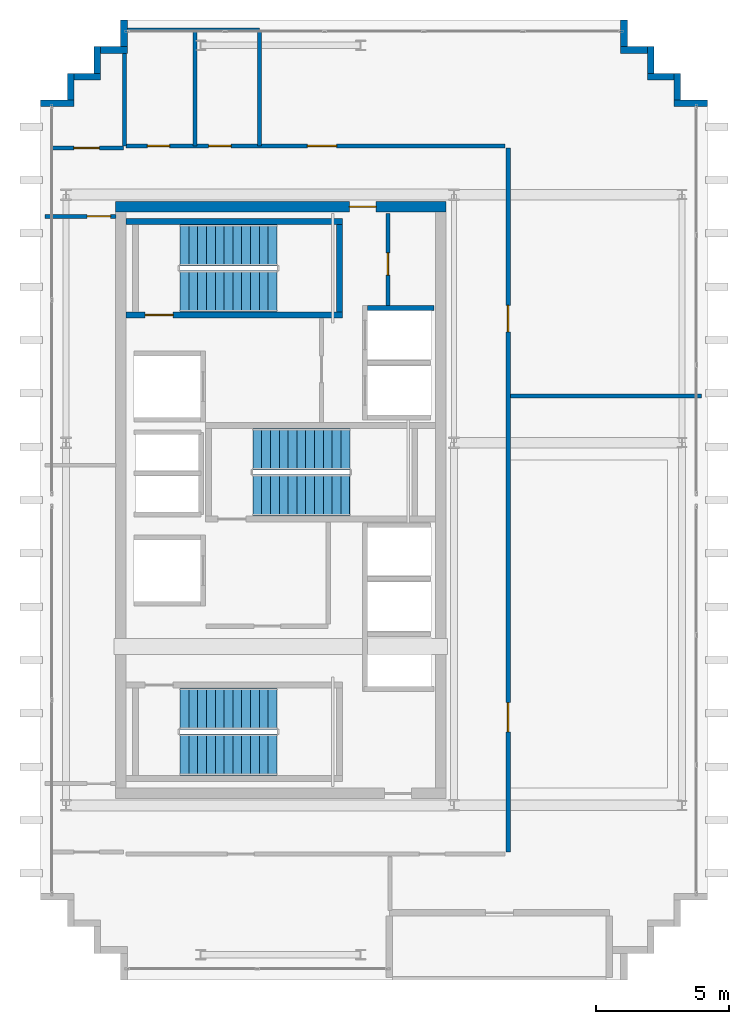
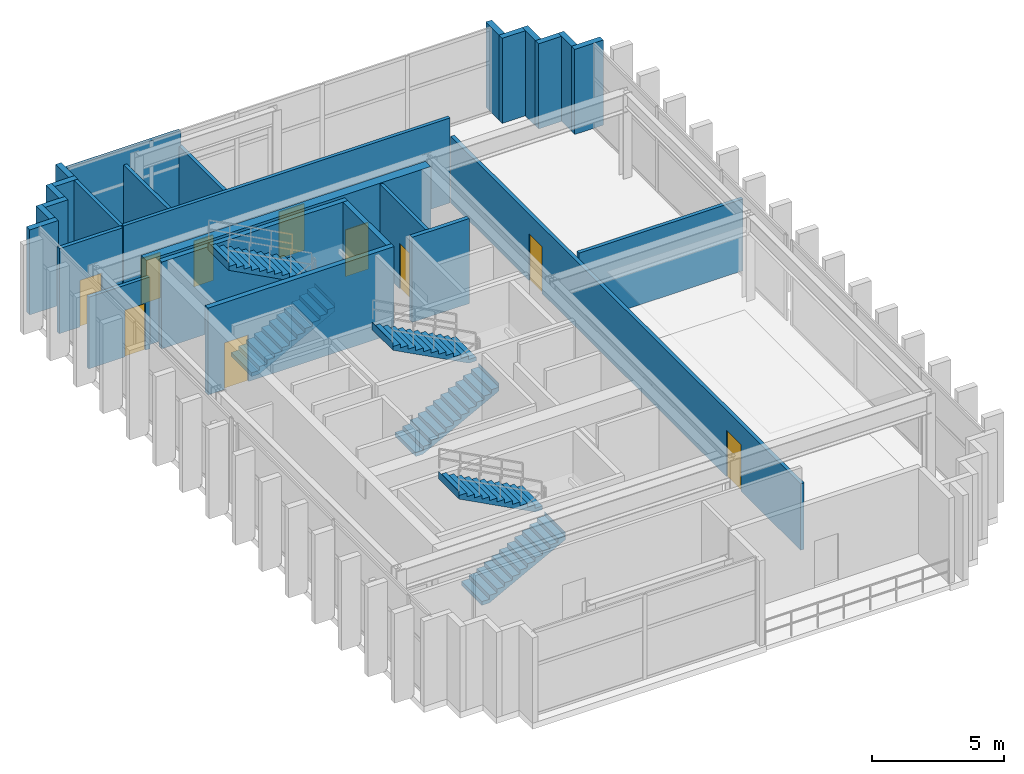
# One storey, part 12 of 14: 27 walls, 10 doors, 6 stair flights, 10 openings, 3 elements without a shape of their own.
"""IFC4 building model written with IfcOpenShell, lengths in metres."""

from ifc_helpers import new_model, si_unit, direction, frame, frame_2d, origin, place, context, subcontext, project, spatial, polyline, rectangle, outline, extrude, source, transform, mapped, material, layer, layer_set, type_object, element, fill, aggregate, save


model = new_model("IFC4")

# Units and contexts
model_context = context("Model", 3, precision=1e-05, world=origin(), true_north=direction((0.0, 1.0)))
body_context = subcontext(model_context, "Body", "Model", "MODEL_VIEW")
ifc_project = project(units=[si_unit("LENGTHUNIT", "METRE"), si_unit("AREAUNIT", "SQUARE_METRE"), si_unit("VOLUMEUNIT", "CUBIC_METRE"), si_unit("PLANEANGLEUNIT", "RADIAN"), si_unit("MASSUNIT", "GRAM", prefix="KILO")], contexts=[model_context])

# Site, building, storey
site_placement = place(None, origin())
site = spatial("IfcSite", under=ifc_project, at=site_placement, CompositionType="ELEMENT")
building_placement = place(site_placement, origin())
building = spatial("IfcBuilding", under=site, at=building_placement, Name="Ocotamira Hotel", CompositionType="ELEMENT")
storey_placement = place(building_placement, frame((0.0, 0.0, 301.199951171875)))
storey = spatial("IfcBuildingStorey", under=building, at=storey_placement, Name="L77", CompositionType="ELEMENT", Elevation=301.199951171875)

# Wall, opening, door
ifc_material_1 = material(Name="Concrete C50/60", Category="concrete")
ifc_layer_1 = layer(ifc_material_1, 0.39990234375)
ifc_layer_set_1 = layer_set([ifc_layer_1], Name="Concrete C50/60")
wall_type_1 = type_object("IfcWallType", Name="WL-CORE-400", PredefinedType="SHEAR", material=ifc_layer_set_1)
wall_1_placement = place(storey_placement, frame((10.800048828125, 37.0, 0.0), z_axis=(0.0, 0.0, 1.0), x_axis=(1.0, 0.0, 0.0)))
wall_1 = element("IfcWall", 1, at=wall_1_placement, inside=storey, type_object=wall_type_1, Name="L77 Shear Core Wall WCORE-N", PredefinedType="SHEAR", context=body_context, shape_type="SweptSolid", body=[
    extrude(rectangle(XDim=12.39990234375, YDim=0.39990234375, at=frame_2d((6.199951171875, 0.0))), origin(), (0.0, 0.0, 1.0), 3.920166015625),
])
opening_1_placement = place(wall_1_placement, frame((8.780029296875, 0.0, 0.0)))
opening_1 = element("IfcOpeningElement", 2, at=opening_1_placement, cuts=wall_1, Name="Opening D-FR2", PredefinedType="OPENING", context=body_context, shape_type="SweptSolid", body=[
    extrude(rectangle(XDim=1.0, YDim=2.14990234375, at=frame_2d((0.5, 1.074951171875))), frame((0.0, 0.2099609375, 0.0), z_axis=(0.0, -1.0, 0.0), x_axis=(1.0, 0.0, 0.0)), (0.0, 0.0, 1.0), 0.419921875),
])
ifc_material_2 = material(Name="Fire-rated acoustic timber-veneer door", Category="wood")
door_type_1 = type_object("IfcDoorType", Name="DR-FIRE-1000", OperationType="NOTDEFINED", PredefinedType="DOOR", material=ifc_material_2)
shared_shape_1 = source(origin(), body_context, "Body", "SweptSolid", [
    extrude(rectangle(XDim=1.0, YDim=2.14990234375, at=frame_2d((0.5, 1.074951171875))), frame((0.0, 0.02490234375, 0.0), z_axis=(0.0, -1.0, 0.0), x_axis=(1.0, 0.0, 0.0)), (0.0, 0.0, 1.0), 0.050048828125),
])
door_1_placement = place(opening_1_placement, origin())
door_1 = element("IfcDoor", 3, at=door_1_placement, inside=storey, type_object=door_type_1, Name="L77 Door ID-L77-WLOB-N-D [ID-L77-WLOB-N-D]", OperationType="SINGLE_SWING_RIGHT", OverallHeight=2.14990234375, OverallWidth=1.0, PredefinedType="DOOR", context=body_context, shape_type="MappedRepresentation", body=[
    mapped(shared_shape_1, transform((0.0, 0.0, 0.0), scale=1.0)),
])
fill(opening_1, door_1)

# Walls
ifc_material_3 = material(Name="Precast concrete C45/55", Category="concrete")
ifc_layer_2 = layer(ifc_material_3, 0.25)
ifc_layer_set_2 = layer_set([ifc_layer_2], Name="Precast concrete C45/55")
wall_type_2 = type_object("IfcWallType", Name="WL-EXT-SER-250", PredefinedType="SOLIDWALL", material=ifc_layer_set_2)
wall_2_placement = place(storey_placement, frame((33.0, 40.875, 0.0), z_axis=(0.0, 0.0, 1.0), x_axis=(-1.0, 0.0, 0.0)))
element("IfcWall", 4, at=wall_2_placement, inside=storey, type_object=wall_type_2, Name="L77 Serrated Corner Wall 07", PredefinedType="SOLIDWALL", context=body_context, shape_type="SweptSolid", body=[
    extrude(rectangle(XDim=1.25, YDim=0.25, at=frame_2d((0.625, 0.0))), origin(), (0.0, 0.0, 1.0), 3.920166015625),
])
for number, where, z_axis, x_axis, name in (
    (5, (31.875, 41.0, 0.0), (0.0, 0.0, 1.0), (0.0, 1.0, 0.0), "L77 Serrated Corner Wall 08"),
    (6, (31.75, 41.875, 0.0), (0.0, 0.0, 1.0), (-1.0, 0.0, 0.0), "L77 Serrated Corner Wall 09"),
    (7, (30.875, 42.0, 0.0), (0.0, 0.0, 1.0), (0.0, 1.0, 0.0), "L77 Serrated Corner Wall 10"),
    (8, (30.75, 42.875, 0.0), (0.0, 0.0, 1.0), (-1.0, 0.0, 0.0), "L77 Serrated Corner Wall 11"),
    (9, (29.875, 43.0, 0.0), (0.0, 0.0, 1.0), (0.0, 1.0, 0.0), "L77 Serrated Corner Wall 12"),
    (10, (11.125, 44.0, 0.0), (0.0, 0.0, 1.0), (0.0, -1.0, 0.0), "L77 Serrated Corner Wall 13"),
    (11, (11.25, 42.875, 0.0), (0.0, 0.0, 1.0), (-1.0, 0.0, 0.0), "L77 Serrated Corner Wall 14"),
    (12, (10.125, 43.0, 0.0), (0.0, 0.0, 1.0), (0.0, -1.0, 0.0), "L77 Serrated Corner Wall 15"),
    (13, (10.25, 41.875, 0.0), (0.0, 0.0, 1.0), (-1.0, 0.0, 0.0), "L77 Serrated Corner Wall 16"),
    (14, (9.125, 42.0, 0.0), (0.0, 0.0, 1.0), (0.0, -1.0, 0.0), "L77 Serrated Corner Wall 17"),
):
    element("IfcWall", number, at=place(storey_placement, frame(where, z_axis=z_axis, x_axis=x_axis)), inside=storey, type_object=wall_type_2, Name=name, PredefinedType="SOLIDWALL", context=body_context, shape_type="SweptSolid", body=[
        extrude(rectangle(XDim=1.0, YDim=0.25, at=frame_2d((0.5, 0.0))), origin(), (0.0, 0.0, 1.0), 3.920166015625),
    ])
wall_3_placement = place(storey_placement, frame((9.25, 40.875, 0.0), z_axis=(0.0, 0.0, 1.0), x_axis=(-1.0, 0.0, 0.0)))
element("IfcWall", 15, at=wall_3_placement, inside=storey, type_object=wall_type_2, Name="L77 Serrated Corner Wall 18", PredefinedType="SOLIDWALL", context=body_context, shape_type="SweptSolid", body=[
    extrude(rectangle(XDim=1.25, YDim=0.25, at=frame_2d((0.625, 0.0))), origin(), (0.0, 0.0, 1.0), 3.920166015625),
])

# Wall, openings, doors
ifc_material_4 = material(Name="Acoustic double-layer fire gypsum board partition", Category="gypsum")
ifc_layer_3 = layer(ifc_material_4, 0.159912109375)
ifc_layer_set_3 = layer_set([ifc_layer_3], Name="Acoustic double-layer fire gypsum board partition")
wall_type_3 = type_object("IfcWallType", Name="WL-FIRE-160", PredefinedType="PARTITIONING", material=ifc_layer_set_3)
wall_4_placement = place(storey_placement, frame((25.530029296875, 12.800048828125, 0.0), z_axis=(0.0, 0.0, 1.0), x_axis=(0.0, 1.0, 0.0)))
wall_4 = element("IfcWall", 16, at=wall_4_placement, inside=storey, type_object=wall_type_3, Name="L77 Interior Wall PW-L77-L77-SPW-E", PredefinedType="PARTITIONING", context=body_context, shape_type="SweptSolid", body=[
    extrude(rectangle(XDim=26.39990234375, YDim=0.159912109375, at=frame_2d((13.199951171875, 0.0))), origin(), (0.0, 0.0, 1.0), 3.06396484375),
])
opening_2_placement = place(wall_4_placement, frame((4.5, 0.0, 0.0)))
opening_2 = element("IfcOpeningElement", 17, at=opening_2_placement, cuts=wall_4, Name="Opening D-FR1", PredefinedType="OPENING", context=body_context, shape_type="SweptSolid", body=[
    extrude(rectangle(XDim=1.10009765625, YDim=2.14990234375, at=frame_2d((0.550048828125, 1.074951171875))), frame((0.0, 0.08984375, 0.0), z_axis=(0.0, -1.0, 0.0), x_axis=(1.0, 0.0, 0.0)), (0.0, 0.0, 1.0), 0.179931640625),
])
opening_3_placement = place(wall_4_placement, frame((19.5, 0.0, 0.0)))
opening_3 = element("IfcOpeningElement", 18, at=opening_3_placement, cuts=wall_4, Name="Opening D-FR2", PredefinedType="OPENING", context=body_context, shape_type="SweptSolid", body=[
    extrude(rectangle(XDim=1.0, YDim=2.14990234375, at=frame_2d((0.5, 1.074951171875))), frame((0.0, 0.08984375, 0.0), z_axis=(0.0, -1.0, 0.0), x_axis=(1.0, 0.0, 0.0)), (0.0, 0.0, 1.0), 0.179931640625),
])
door_type_2 = type_object("IfcDoorType", Name="DR-FIRE-1100", OperationType="NOTDEFINED", PredefinedType="DOOR", material=ifc_material_2)
shared_shape_2 = source(origin(), body_context, "Body", "SweptSolid", [
    extrude(rectangle(XDim=1.10009765625, YDim=2.14990234375, at=frame_2d((0.550048828125, 1.074951171875))), frame((0.0, 0.02490234375, 0.0), z_axis=(0.0, -1.0, 0.0), x_axis=(1.0, 0.0, 0.0)), (0.0, 0.0, 1.0), 0.050048828125),
])
door_2_placement = place(opening_2_placement, origin())
door_2 = element("IfcDoor", 19, at=door_2_placement, inside=storey, type_object=door_type_2, Name="L77 Door ID-L77-L77-RD1 [ID-L77-L77-RD1]", OperationType="SINGLE_SWING_LEFT", OverallHeight=2.14990234375, OverallWidth=1.10009765625, PredefinedType="DOOR", context=body_context, shape_type="MappedRepresentation", body=[
    mapped(shared_shape_2, transform((0.0, 0.0, 0.0), scale=1.0)),
])
fill(opening_2, door_2)
door_3_placement = place(opening_3_placement, origin())
door_3 = element("IfcDoor", 20, at=door_3_placement, inside=storey, type_object=door_type_1, Name="L77 Door ID-L77-L77-KD1 [ID-L77-L77-KD1]", OperationType="SINGLE_SWING_RIGHT", OverallHeight=2.14990234375, OverallWidth=1.0, PredefinedType="DOOR", context=body_context, shape_type="MappedRepresentation", body=[
    mapped(shared_shape_1, transform((0.0, 0.0, 0.0), scale=1.0)),
])
fill(opening_3, door_3)

# Wall
wall_5_placement = place(storey_placement, frame((25.6201171875, 29.89990234375, 0.0), z_axis=(0.0, 0.0, 1.0), x_axis=(1.0, 0.0, 0.0)))
element("IfcWall", 21, at=wall_5_placement, inside=storey, type_object=wall_type_3, Name="L77 Interior Wall PW-L77-L77-RKDIV", PredefinedType="PARTITIONING", context=body_context, shape_type="SweptSolid", body=[
    extrude(rectangle(XDim=7.159912109375, YDim=0.159912109375, at=frame_2d((3.580078125, 0.0))), origin(), (0.0, 0.0, 1.0), 3.302978515625),
])

# Wall, opening, door
wall_6_placement = place(storey_placement, frame((8.35009765625, 39.199951171875, 0.0), z_axis=(0.0, 0.0, 1.0), x_axis=(1.0, 0.0, 0.0)))
wall_6 = element("IfcWall", 22, at=wall_6_placement, inside=storey, type_object=wall_type_3, Name="L77 Interior Wall PW-L77-L77-OBCNW-CW", PredefinedType="PARTITIONING", context=body_context, shape_type="SweptSolid", body=[
    extrude(rectangle(XDim=2.75, YDim=0.159912109375, at=frame_2d((1.375, 0.0))), origin(), (0.0, 0.0, 1.0), 3.920166015625),
])
opening_4_placement = place(wall_6_placement, frame((0.89501953125, 0.0, 0.0)))
opening_4 = element("IfcOpeningElement", 23, at=opening_4_placement, cuts=wall_6, Name="Opening D-SV4", PredefinedType="OPENING", context=body_context, shape_type="SweptSolid", body=[
    extrude(rectangle(XDim=0.9599609375, YDim=2.14990234375, at=frame_2d((0.47998046875, 1.074951171875))), frame((0.0, 0.08984375, 0.0), z_axis=(0.0, -1.0, 0.0), x_axis=(1.0, 0.0, 0.0)), (0.0, 0.0, 1.0), 0.179931640625),
])
ifc_material_5 = material(Name="Fire-rated accessible walnut salon door", Category="wood")
door_type_3 = type_object("IfcDoorType", Name="DR-SERV-960", OperationType="NOTDEFINED", PredefinedType="DOOR", material=ifc_material_5)
shared_shape_3 = source(origin(), body_context, "Body", "SweptSolid", [
    extrude(rectangle(XDim=0.9599609375, YDim=2.14990234375, at=frame_2d((0.47998046875, 1.074951171875))), frame((0.0, 0.02490234375, 0.0), z_axis=(0.0, -1.0, 0.0), x_axis=(1.0, 0.0, 0.0)), (0.0, 0.0, 1.0), 0.050048828125),
])
door_4_placement = place(opening_4_placement, origin())
door_4 = element("IfcDoor", 24, at=door_4_placement, inside=storey, type_object=door_type_3, Name="L77 Door ID-L77-L77-OBCNW-CD [ID-L77-L77-OBCNW-CD]", OperationType="SINGLE_SWING_LEFT", OverallHeight=2.14990234375, OverallWidth=0.9599609375, PredefinedType="DOOR", context=body_context, shape_type="MappedRepresentation", body=[
    mapped(shared_shape_3, transform((0.0, 0.0, 0.0), scale=1.0)),
])
fill(opening_4, door_4)

ifc_material_6 = material(Name="Acoustic hospitality gypsum board partition", Category="gypsum")
ifc_layer_4 = layer(ifc_material_6, 0.14208984375)
ifc_layer_set_4 = layer_set([ifc_layer_4], Name="Acoustic hospitality gypsum board partition")
wall_type_4 = type_object("IfcWallType", Name="WL-PART-142", PredefinedType="PARTITIONING", material=ifc_layer_set_4)
wall_7_placement = place(storey_placement, frame((21.02001953125, 33.280029296875, 0.0), z_axis=(0.0, 0.0, 1.0), x_axis=(0.0, 1.0, 0.0)))
wall_7 = element("IfcWall", 25, at=wall_7_placement, inside=storey, type_object=wall_type_4, Name="L77 Interior Wall PW-L77-WC-NE-W", PredefinedType="PARTITIONING", context=body_context, shape_type="SweptSolid", body=[
    extrude(rectangle(XDim=3.469970703125, YDim=0.14208984375, at=frame_2d((1.73486328125, 0.0))), origin(), (0.0, 0.0, 1.0), 3.920166015625),
])
opening_5_placement = place(wall_7_placement, frame((1.14990234375, 0.0, 0.0)))
opening_5 = element("IfcOpeningElement", 26, at=opening_5_placement, cuts=wall_7, Name="Opening D-SV1", PredefinedType="OPENING", context=body_context, shape_type="SweptSolid", body=[
    extrude(rectangle(XDim=0.840087890625, YDim=2.10009765625, at=frame_2d((0.419921875, 1.050048828125))), frame((0.0, 0.0810546875, 0.0), z_axis=(0.0, -1.0, 0.0), x_axis=(1.0, 0.0, 0.0)), (0.0, 0.0, 1.0), 0.162109375),
])
ifc_material_7 = material(Name="Fire-rated painted steel service door", Category="steel")
door_type_4 = type_object("IfcDoorType", Name="DR-SERV-840", OperationType="NOTDEFINED", PredefinedType="DOOR", material=ifc_material_7)
shared_shape_4 = source(origin(), body_context, "Body", "SweptSolid", [
    extrude(rectangle(XDim=0.840087890625, YDim=2.10009765625, at=frame_2d((0.419921875, 1.050048828125))), frame((0.0, 0.02490234375, 0.0), z_axis=(0.0, -1.0, 0.0), x_axis=(1.0, 0.0, 0.0)), (0.0, 0.0, 1.0), 0.050048828125),
])
door_5_placement = place(opening_5_placement, origin())
door_5 = element("IfcDoor", 27, at=door_5_placement, inside=storey, type_object=door_type_4, Name="L77 Door ID-L77-WC-NE-D [ID-L77-WC-NE-D]", OperationType="SINGLE_SWING_LEFT", OverallHeight=2.10009765625, OverallWidth=0.840087890625, PredefinedType="DOOR", context=body_context, shape_type="MappedRepresentation", body=[
    mapped(shared_shape_4, transform((0.0, 0.0, 0.0), scale=1.0)),
])
fill(opening_5, door_5)

ifc_layer_5 = layer(ifc_material_6, 0.14990234375)
ifc_layer_set_5 = layer_set([ifc_layer_5], Name="Acoustic hospitality gypsum board partition")
wall_type_5 = type_object("IfcWallType", Name="WL-PART-150", PredefinedType="PARTITIONING", material=ifc_layer_set_5)
wall_8_placement = place(storey_placement, frame((8.159912109375, 36.639892578125, 0.0), z_axis=(0.0, 0.0, 1.0), x_axis=(1.0, 0.0, 0.0)))
wall_8 = element("IfcWall", 28, at=wall_8_placement, inside=storey, type_object=wall_type_5, Name="L77 Interior Wall PW-L77-L77W-WN", PredefinedType="PARTITIONING", context=body_context, shape_type="SweptSolid", body=[
    extrude(rectangle(XDim=2.66015625, YDim=0.14990234375, at=frame_2d((1.330078125, 0.0))), origin(), (0.0, 0.0, 1.0), 3.302978515625),
])
opening_6_placement = place(wall_8_placement, frame((1.580078125, 0.0, 0.0)))
opening_6 = element("IfcOpeningElement", 29, at=opening_6_placement, cuts=wall_8, Name="Opening D-SV2", PredefinedType="OPENING", context=body_context, shape_type="SweptSolid", body=[
    extrude(rectangle(XDim=0.8798828125, YDim=2.14990234375, at=frame_2d((0.43994140625, 1.074951171875))), frame((0.0, 0.0849609375, 0.0), z_axis=(0.0, -1.0, 0.0), x_axis=(1.0, 0.0, 0.0)), (0.0, 0.0, 1.0), 0.169921875),
])
door_type_5 = type_object("IfcDoorType", Name="DR-SERV-880", OperationType="NOTDEFINED", PredefinedType="DOOR", material=ifc_material_7)
shared_shape_5 = source(origin(), body_context, "Body", "SweptSolid", [
    extrude(rectangle(XDim=0.8798828125, YDim=2.14990234375, at=frame_2d((0.43994140625, 1.074951171875))), frame((0.0, 0.02490234375, 0.0), z_axis=(0.0, -1.0, 0.0), x_axis=(1.0, 0.0, 0.0)), (0.0, 0.0, 1.0), 0.050048828125),
])
door_6_placement = place(opening_6_placement, origin())
door_6 = element("IfcDoor", 30, at=door_6_placement, inside=storey, type_object=door_type_5, Name="L77 Door ID-L77-L77W-DN [ID-L77-L77W-DN]", OperationType="SINGLE_SWING_RIGHT", OverallHeight=2.14990234375, OverallWidth=0.8798828125, PredefinedType="DOOR", context=body_context, shape_type="MappedRepresentation", body=[
    mapped(shared_shape_5, transform((0.0, 0.0, 0.0), scale=1.0)),
])
fill(opening_6, door_6)

# Wall, openings, doors
wall_9_placement = place(storey_placement, frame((11.199951171875, 39.280029296875, 0.0), z_axis=(0.0, 0.0, 1.0), x_axis=(1.0, 0.0, 0.0)))
wall_9 = element("IfcWall", 31, at=wall_9_placement, inside=storey, type_object=wall_type_5, Name="L77 Interior Wall PW-L77-L77-NW", PredefinedType="PARTITIONING", context=body_context, shape_type="SweptSolid", body=[
    extrude(rectangle(XDim=14.219970703125, YDim=0.14990234375, at=frame_2d((7.10986328125, 0.0))), origin(), (0.0, 0.0, 1.0), 3.920166015625),
])
opening_7_placement = place(wall_9_placement, frame((0.800048828125, 0.0, 0.0)))
opening_7 = element("IfcOpeningElement", 32, at=opening_7_placement, cuts=wall_9, Name="Opening D-SV1", PredefinedType="OPENING", context=body_context, shape_type="SweptSolid", body=[
    extrude(rectangle(XDim=0.840087890625, YDim=2.10009765625, at=frame_2d((0.419921875, 1.050048828125))), frame((0.0, 0.0849609375, 0.0), z_axis=(0.0, -1.0, 0.0), x_axis=(1.0, 0.0, 0.0)), (0.0, 0.0, 1.0), 0.169921875),
])
opening_8_placement = place(wall_9_placement, frame((3.10009765625, 0.0, 0.0)))
opening_8 = element("IfcOpeningElement", 33, at=opening_8_placement, cuts=wall_9, Name="Opening D-SV1", PredefinedType="OPENING", context=body_context, shape_type="SweptSolid", body=[
    extrude(rectangle(XDim=0.840087890625, YDim=2.10009765625, at=frame_2d((0.419921875, 1.050048828125))), frame((0.0, 0.0849609375, 0.0), z_axis=(0.0, -1.0, 0.0), x_axis=(1.0, 0.0, 0.0)), (0.0, 0.0, 1.0), 0.169921875),
])
opening_9_placement = place(wall_9_placement, frame((6.800048828125, 0.0, 0.0)))
opening_9 = element("IfcOpeningElement", 34, at=opening_9_placement, cuts=wall_9, Name="Opening D-FR1", PredefinedType="OPENING", context=body_context, shape_type="SweptSolid", body=[
    extrude(rectangle(XDim=1.10009765625, YDim=2.14990234375, at=frame_2d((0.550048828125, 1.074951171875))), frame((0.0, 0.0849609375, 0.0), z_axis=(0.0, -1.0, 0.0), x_axis=(1.0, 0.0, 0.0)), (0.0, 0.0, 1.0), 0.169921875),
])
door_7_placement = place(opening_9_placement, origin())
door_7 = element("IfcDoor", 35, at=door_7_placement, inside=storey, type_object=door_type_2, Name="L77 Door ID-L77-L77-ND [ID-L77-L77-ND]", OperationType="SINGLE_SWING_LEFT", OverallHeight=2.14990234375, OverallWidth=1.10009765625, PredefinedType="DOOR", context=body_context, shape_type="MappedRepresentation", body=[
    mapped(shared_shape_2, transform((0.0, 0.0, 0.0), scale=1.0)),
])
fill(opening_9, door_7)
door_8_placement = place(opening_7_placement, origin())
door_8 = element("IfcDoor", 36, at=door_8_placement, inside=storey, type_object=door_type_4, Name="L77 Door ID-L77-L77-WCD1 [ID-L77-L77-WCD1]", OperationType="SINGLE_SWING_LEFT", OverallHeight=2.10009765625, OverallWidth=0.840087890625, PredefinedType="DOOR", context=body_context, shape_type="MappedRepresentation", body=[
    mapped(shared_shape_4, transform((0.0, 0.0, 0.0), scale=1.0)),
])
fill(opening_7, door_8)
door_9_placement = place(opening_8_placement, origin())
door_9 = element("IfcDoor", 37, at=door_9_placement, inside=storey, type_object=door_type_4, Name="L77 Door ID-L77-L77-AWCD1 [ID-L77-L77-AWCD1]", OperationType="SINGLE_SWING_RIGHT", OverallHeight=2.10009765625, OverallWidth=0.840087890625, PredefinedType="DOOR", context=body_context, shape_type="MappedRepresentation", body=[
    mapped(shared_shape_4, transform((0.0, 0.0, 0.0), scale=1.0)),
])
fill(opening_8, door_9)

# Walls
wall_10_placement = place(storey_placement, frame((11.14990234375, 39.280029296875, 0.0), z_axis=(0.0, 0.0, 1.0), x_axis=(0.0, 1.0, 0.0)))
element("IfcWall", 38, at=wall_10_placement, inside=storey, type_object=wall_type_5, Name="L77 Interior Wall PW-L77-L77-WCW-DIV", PredefinedType="PARTITIONING", context=body_context, shape_type="SweptSolid", body=[
    extrude(rectangle(XDim=3.4599609375, YDim=0.14990234375, at=frame_2d((1.72998046875, 0.0))), origin(), (0.0, 0.0, 1.0), 3.920166015625),
])
wall_11_placement = place(storey_placement, frame((11.25, 43.6201171875, 0.0), z_axis=(0.0, 0.0, 1.0), x_axis=(1.0, 0.0, 0.0)))
element("IfcWall", 39, at=wall_11_placement, inside=storey, type_object=wall_type_5, Name="L77 Interior Wall PW-L77-L77-WCN-DIV", PredefinedType="PARTITIONING", context=body_context, shape_type="SweptSolid", body=[
    extrude(rectangle(XDim=4.949951171875, YDim=0.14990234375, at=frame_2d((2.47509765625, 0.0))), origin(), (0.0, 0.0, 1.0), 3.920166015625),
])
for number, where, z_axis, x_axis, name in (
    (40, (13.780029296875, 39.280029296875, 0.0), (0.0, 0.0, 1.0), (0.0, 1.0, 0.0), "L77 Interior Wall PW-L77-L77-WCDIV"),
    (41, (16.199951171875, 39.280029296875, 0.0), (0.0, 0.0, 1.0), (0.0, 1.0, 0.0), "L77 Interior Wall PW-L77-L77-WCE-DIV"),
):
    element("IfcWall", number, at=place(storey_placement, frame(where, z_axis=z_axis, x_axis=x_axis)), inside=storey, type_object=wall_type_5, Name=name, PredefinedType="PARTITIONING", context=body_context, shape_type="SweptSolid", body=[
        extrude(rectangle(XDim=4.340087890625, YDim=0.14990234375, at=frame_2d((2.169921875, 0.0))), origin(), (0.0, 0.0, 1.0), 3.22705078125),
    ])
ifc_material_8 = material(Name="Fire-rated gypsum shaftliner board assembly", Category="gypsum")
ifc_layer_6 = layer(ifc_material_8, 0.179931640625)
ifc_layer_set_6 = layer_set([ifc_layer_6], Name="Fire-rated gypsum shaftliner board assembly")
wall_type_6 = type_object("IfcWallType", Name="WL-SHAFT-180", PredefinedType="SOLIDWALL", material=ifc_layer_set_6)
wall_12_placement = place(storey_placement, frame((20.25, 33.199951171875, 0.0), z_axis=(0.0, 0.0, 1.0), x_axis=(1.0, 0.0, 0.0)))
element("IfcWall", 42, at=wall_12_placement, inside=storey, type_object=wall_type_6, Name="L77 Interior Wall PW-L77-LFW-BANK-obs-N", PredefinedType="SOLIDWALL", context=body_context, shape_type="SweptSolid", body=[
    extrude(rectangle(XDim=2.5, YDim=0.179931640625, at=frame_2d((1.25, 0.0))), origin(), (0.0, 0.0, 1.0), 3.920166015625),
])

# Wall, opening, door
ifc_layer_7 = layer(ifc_material_1, 0.219970703125)
ifc_layer_set_7 = layer_set([ifc_layer_7], Name="Concrete C50/60")
wall_type_7 = type_object("IfcWallType", Name="WL-STAIR-220", PredefinedType="SHEAR", material=ifc_layer_set_7)
wall_13_placement = place(storey_placement, frame((11.199951171875, 32.93994140625, 0.0), z_axis=(0.0, 0.0, 1.0), x_axis=(1.0, 0.0, 0.0)))
wall_13 = element("IfcWall", 43, at=wall_13_placement, inside=storey, type_object=wall_type_7, Name="L77 Stair Shaft Structural Wall ST-2-S", PredefinedType="SHEAR", context=body_context, shape_type="SweptSolid", body=[
    extrude(rectangle(XDim=8.110107421875, YDim=0.219970703125, at=frame_2d((4.05517578125, 0.0))), origin(), (0.0, 0.0, 1.0), 4.0),
])
opening_10_placement = place(wall_13_placement, frame((0.719970703125, 0.0, 0.0)))
opening_10 = element("IfcOpeningElement", 44, at=opening_10_placement, cuts=wall_13, Name="Opening D-ST2", PredefinedType="OPENING", context=body_context, shape_type="SweptSolid", body=[
    extrude(rectangle(XDim=1.050048828125, YDim=2.14990234375, at=frame_2d((0.52490234375, 1.074951171875))), frame((0.0, 0.1201171875, 0.0), z_axis=(0.0, -1.0, 0.0), x_axis=(1.0, 0.0, 0.0)), (0.0, 0.0, 1.0), 0.239990234375),
])
ifc_material_9 = material(Name="Insulated painted hollow-metal fire exit door", Category="steel")
door_type_6 = type_object("IfcDoorType", Name="DR-STAIR-1050", OperationType="NOTDEFINED", PredefinedType="DOOR", material=ifc_material_9)
shared_shape_6 = source(origin(), body_context, "Body", "SweptSolid", [
    extrude(rectangle(XDim=1.050048828125, YDim=2.14990234375, at=frame_2d((0.52490234375, 1.074951171875))), frame((0.0, 0.02490234375, 0.0), z_axis=(0.0, -1.0, 0.0), x_axis=(1.0, 0.0, 0.0)), (0.0, 0.0, 1.0), 0.050048828125),
])
door_10_placement = place(opening_10_placement, origin())
door_10 = element("IfcDoor", 45, at=door_10_placement, inside=storey, type_object=door_type_6, Name="L77 Door ID-L77-STD-ST-2 [ID-L77-STD-ST-2]", OperationType="SINGLE_SWING_LEFT", OverallHeight=2.14990234375, OverallWidth=1.050048828125, PredefinedType="DOOR", context=body_context, shape_type="MappedRepresentation", body=[
    mapped(shared_shape_6, transform((0.0, 0.0, 0.0), scale=1.0)),
])
fill(opening_10, door_10)

# Walls
wall_14_placement = place(storey_placement, frame((11.199951171875, 36.43994140625, 0.0), z_axis=(0.0, 0.0, 1.0), x_axis=(1.0, 0.0, 0.0)))
element("IfcWall", 46, at=wall_14_placement, inside=storey, type_object=wall_type_7, Name="L77 Stair Shaft Structural Wall ST-2-N", PredefinedType="SHEAR", context=body_context, shape_type="SweptSolid", body=[
    extrude(rectangle(XDim=8.110107421875, YDim=0.219970703125, at=frame_2d((4.05517578125, 0.0))), origin(), (0.0, 0.0, 1.0), 4.0),
])
wall_15_placement = place(storey_placement, frame((19.199951171875, 33.050048828125, 0.0), z_axis=(0.0, 0.0, 1.0), x_axis=(0.0, 1.0, 0.0)))
element("IfcWall", 47, at=wall_15_placement, inside=storey, type_object=wall_type_7, Name="L77 Stair Shaft Structural Wall ST-2-E", PredefinedType="SHEAR", context=body_context, shape_type="SweptSolid", body=[
    extrude(rectangle(XDim=3.280029296875, YDim=0.219970703125, at=frame_2d((1.64013671875, 0.0))), origin(), (0.0, 0.0, 1.0), 4.0),
])

# Stair, stair flights
ifc_material_10 = material(Name="Concrete C40/50", Category="concrete")
stair_type = type_object("IfcStairType", Name="ST-CORE-1560", PredefinedType="HALF_TURN_STAIR", material=ifc_material_10)
stair_1_placement = place(storey_placement, origin())
stair_1 = element("IfcStair", 48, at=stair_1_placement, inside=storey, type_object=stair_type, Name="L77 Exit Stair ST-1", PredefinedType="HALF_TURN_STAIR")
stair_flight_type = type_object("IfcStairFlightType", Name="STF-CORE-1560", PredefinedType="STRAIGHT", material=ifc_material_10)
shared_shape_7 = source(origin(), body_context, "Body", "SweptSolid", [
    extrude(outline(polyline([(-0.00390625, 0.0), (-0.00390625, 0.175048828125), (0.330078125, 0.175048828125), (0.330078125, 0.35009765625), (0.659912109375, 0.35009765625), (0.659912109375, 0.52490234375), (0.989990234375, 0.52490234375), (0.989990234375, 0.699951171875), (1.320068359375, 0.699951171875), (1.320068359375, 0.875), (1.64990234375, 0.875), (1.64990234375, 1.050048828125), (1.97998046875, 1.050048828125), (1.97998046875, 1.22509765625), (2.31005859375, 1.22509765625), (2.31005859375, 1.39990234375), (2.639892578125, 1.39990234375), (2.639892578125, 1.574951171875), (2.969970703125, 1.574951171875), (2.969970703125, 1.75), (3.300048828125, 1.75), (3.300048828125, 1.925048828125), (3.6298828125, 1.925048828125), (3.6298828125, 2.10009765625), (3.634033203125, 2.10009765625), (3.634033203125, 1.75537109375), (0.320068359375, 0.0), (-0.00390625, 0.0)])), frame((0.0, 0.780029296875, 0.0), z_axis=(0.0, -1.0, 0.0), x_axis=(1.0, 0.0, 0.0)), (0.0, 0.0, 1.0), 1.56005859375),
])
stair_flight_1_placement = place(storey_placement, frame((13.22998046875, 16.449951171875, 0.0), z_axis=(0.0, 0.0, 1.0), x_axis=(1.0, 0.0, 0.0)))
stair_flight_1 = element("IfcStairFlight", 49, at=stair_flight_1_placement, type_object=stair_flight_type, Name="ST-1 flight 1", NumberOfRisers=12, NumberOfTreads=11, PredefinedType="STRAIGHT", RiserHeight=0.175, TreadLength=0.33, context=body_context, shape_type="MappedRepresentation", body=[
    mapped(shared_shape_7, transform((0.0, 0.0, 0.0), scale=1.0)),
])
stair_flight_2_placement = place(storey_placement, frame((16.860107421875, 18.169921875, 2.10009765625), z_axis=(0.0, 0.0, 1.0), x_axis=(-1.0, 0.0, 0.0)))
stair_flight_2 = element("IfcStairFlight", 50, at=stair_flight_2_placement, type_object=stair_flight_type, Name="ST-1 flight 2", NumberOfRisers=12, NumberOfTreads=11, PredefinedType="STRAIGHT", RiserHeight=0.175, TreadLength=0.33, context=body_context, shape_type="MappedRepresentation", body=[
    mapped(shared_shape_7, transform((0.0, 0.0, 0.0), scale=1.0)),
])
aggregate(stair_1, [stair_flight_1, stair_flight_2])

stair_2_placement = place(storey_placement, origin())
stair_2 = element("IfcStair", 51, at=stair_2_placement, inside=storey, type_object=stair_type, Name="L77 Exit Stair ST-2", PredefinedType="HALF_TURN_STAIR")
stair_flight_3_placement = place(storey_placement, frame((13.22998046875, 33.830078125, 0.0), z_axis=(0.0, 0.0, 1.0), x_axis=(1.0, 0.0, 0.0)))
stair_flight_3 = element("IfcStairFlight", 52, at=stair_flight_3_placement, type_object=stair_flight_type, Name="ST-2 flight 1", NumberOfRisers=12, NumberOfTreads=11, PredefinedType="STRAIGHT", RiserHeight=0.175, TreadLength=0.33, context=body_context, shape_type="MappedRepresentation", body=[
    mapped(shared_shape_7, transform((0.0, 0.0, 0.0), scale=1.0)),
])
stair_flight_4_placement = place(storey_placement, frame((16.860107421875, 35.550048828125, 2.10009765625), z_axis=(0.0, 0.0, 1.0), x_axis=(-1.0, 0.0, 0.0)))
stair_flight_4 = element("IfcStairFlight", 53, at=stair_flight_4_placement, type_object=stair_flight_type, Name="ST-2 flight 2", NumberOfRisers=12, NumberOfTreads=11, PredefinedType="STRAIGHT", RiserHeight=0.175, TreadLength=0.33, context=body_context, shape_type="MappedRepresentation", body=[
    mapped(shared_shape_7, transform((0.0, 0.0, 0.0), scale=1.0)),
])
aggregate(stair_2, [stair_flight_3, stair_flight_4])

stair_3_placement = place(storey_placement, origin())
stair_3 = element("IfcStair", 54, at=stair_3_placement, inside=storey, type_object=stair_type, Name="L77 Exit Stair ST-3", PredefinedType="HALF_TURN_STAIR")
stair_flight_5_placement = place(storey_placement, frame((15.9599609375, 26.179931640625, 0.0), z_axis=(0.0, 0.0, 1.0), x_axis=(1.0, 0.0, 0.0)))
stair_flight_5 = element("IfcStairFlight", 55, at=stair_flight_5_placement, type_object=stair_flight_type, Name="ST-3 flight 1", NumberOfRisers=12, NumberOfTreads=11, PredefinedType="STRAIGHT", RiserHeight=0.175, TreadLength=0.33, context=body_context, shape_type="MappedRepresentation", body=[
    mapped(shared_shape_7, transform((0.0, 0.0, 0.0), scale=1.0)),
])
stair_flight_6_placement = place(storey_placement, frame((19.590087890625, 27.89990234375, 2.10009765625), z_axis=(0.0, 0.0, 1.0), x_axis=(-1.0, 0.0, 0.0)))
stair_flight_6 = element("IfcStairFlight", 56, at=stair_flight_6_placement, type_object=stair_flight_type, Name="ST-3 flight 2", NumberOfRisers=12, NumberOfTreads=11, PredefinedType="STRAIGHT", RiserHeight=0.175, TreadLength=0.33, context=body_context, shape_type="MappedRepresentation", body=[
    mapped(shared_shape_7, transform((0.0, 0.0, 0.0), scale=1.0)),
])
aggregate(stair_3, [stair_flight_5, stair_flight_6])

save(model, "model.ifc")
